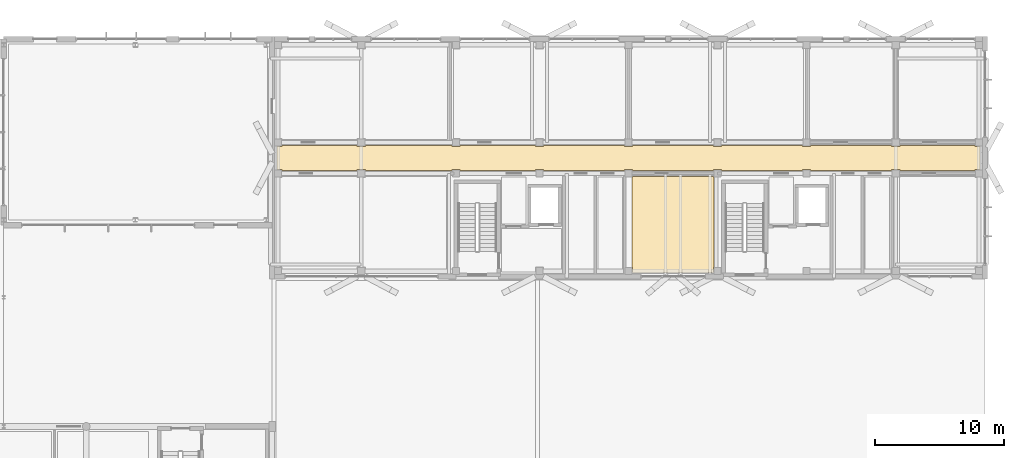
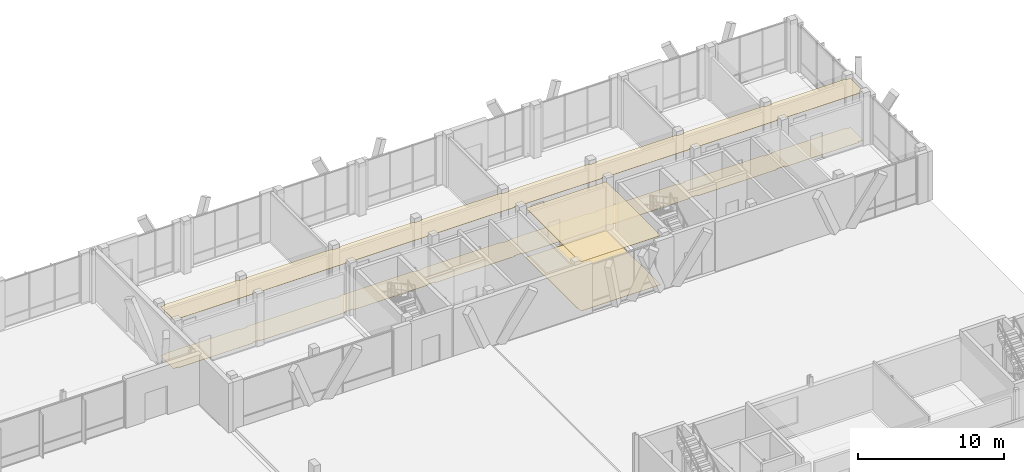
# One storey, part 232 of 233: 4 coverings.
"""IFC4 building model written with IfcOpenShell, lengths in metres."""

from ifc_helpers import new_model, si_unit, direction, frame, origin, place, context, subcontext, project, spatial, polyline, outline, extrude, material, layer, layer_set, type_object, element, save


model = new_model("IFC4")

# Units and contexts
model_context = context("Model", 3, precision=1e-05, world=origin(), true_north=direction((0.0, 1.0)))
body_context = subcontext(model_context, "Body", "Model", "MODEL_VIEW")
ifc_project = project(units=[si_unit("LENGTHUNIT", "METRE"), si_unit("AREAUNIT", "SQUARE_METRE"), si_unit("VOLUMEUNIT", "CUBIC_METRE"), si_unit("PLANEANGLEUNIT", "RADIAN"), si_unit("MASSUNIT", "GRAM", prefix="KILO")], contexts=[model_context])

# Site, building, storey
site_placement = place(None, origin())
site = spatial("IfcSite", under=ifc_project, at=site_placement, CompositionType="ELEMENT")
building_placement = place(site_placement, origin())
building = spatial("IfcBuilding", under=site, at=building_placement, Name="Zavelmont Quarter", CompositionType="ELEMENT")
storey_placement = place(building_placement, origin())
storey = spatial("IfcBuildingStorey", under=building, at=storey_placement, Name="L00", CompositionType="ELEMENT", Elevation=0.0)

# Coverings
ifc_material_1 = material(Name="Perforated acoustic gypsum board")
ifc_layer_1 = layer(ifc_material_1, 0.02490234375)
ifc_layer_set_1 = layer_set([ifc_layer_1], Name="Perforated acoustic gypsum board")
covering_type_1 = type_object("IfcCoveringType", Name="CV-CL01", PredefinedType="CEILING", material=ifc_layer_set_1)
covering_1_placement = place(storey_placement, frame((0.0, 0.0, 4.094970703125)))
element("IfcCovering", 1, at=covering_1_placement, inside=storey, type_object=covering_type_1, Name="L00 Entrance Lobby and Corridor acoustic ceiling", PredefinedType="CEILING", context=body_context, shape_type="SweptSolid", body=[
    extrude(outline(polyline([(113.179931640625, 107.68505859375), (113.554931640625, 107.68505859375), (113.554931640625, 107.77001953125), (119.385009765625, 107.77001953125), (119.385009765625, 107.68505859375), (120.014892578125, 107.68505859375), (120.014892578125, 107.77001953125), (126.72509765625, 107.77001953125), (126.72509765625, 107.68505859375), (127.35498046875, 107.68505859375), (127.35498046875, 107.77001953125), (133.18505859375, 107.77001953125), (133.18505859375, 107.68505859375), (133.81494140625, 107.68505859375), (133.81494140625, 107.77001953125), (140.0849609375, 107.77001953125), (140.0849609375, 107.68505859375), (140.715087890625, 107.68505859375), (140.715087890625, 107.77001953125), (146.985107421875, 107.77001953125), (146.985107421875, 107.68505859375), (147.614990234375, 107.68505859375), (147.614990234375, 107.77001953125), (153.885009765625, 107.77001953125), (153.885009765625, 107.68505859375), (154.514892578125, 107.68505859375), (154.514892578125, 107.77001953125), (160.784912109375, 107.77001953125), (160.784912109375, 107.68505859375), (161.4150390625, 107.68505859375), (161.4150390625, 107.77001953125), (167.2451171875, 107.77001953125), (167.2451171875, 107.68505859375), (167.6201171875, 107.68505859375), (167.6201171875, 105.9150390625), (167.2451171875, 105.9150390625), (167.2451171875, 105.830078125), (161.4150390625, 105.830078125), (161.4150390625, 105.9150390625), (160.784912109375, 105.9150390625), (160.784912109375, 105.830078125), (154.514892578125, 105.830078125), (154.514892578125, 105.9150390625), (153.885009765625, 105.9150390625), (153.885009765625, 105.830078125), (147.614990234375, 105.830078125), (147.614990234375, 105.9150390625), (146.985107421875, 105.9150390625), (146.985107421875, 105.830078125), (140.715087890625, 105.830078125), (140.715087890625, 105.9150390625), (140.0849609375, 105.9150390625), (140.0849609375, 105.830078125), (133.81494140625, 105.830078125), (133.81494140625, 105.9150390625), (133.18505859375, 105.9150390625), (133.18505859375, 105.830078125), (127.35498046875, 105.830078125), (127.35498046875, 105.9150390625), (126.72509765625, 105.9150390625), (126.72509765625, 105.830078125), (120.014892578125, 105.830078125), (120.014892578125, 105.9150390625), (119.385009765625, 105.9150390625), (119.385009765625, 105.830078125), (113.554931640625, 105.830078125), (113.554931640625, 105.9150390625), (113.179931640625, 105.9150390625), (113.179931640625, 107.68505859375)])), origin(), (0.0, 0.0, 1.0), 0.025146484375),
])
covering_2_placement = place(storey_placement, frame((0.0, 0.0, 4.094970703125)))
element("IfcCovering", 2, at=covering_2_placement, inside=storey, type_object=covering_type_1, Name="L00 Residents Workshop acoustic ceiling", PredefinedType="CEILING", context=body_context, shape_type="SweptSolid", body=[
    extrude(outline(polyline([(140.679931640625, 105.284912109375), (140.715087890625, 105.284912109375), (140.715087890625, 105.3701171875), (146.985107421875, 105.3701171875), (146.985107421875, 105.284912109375), (147.02001953125, 105.284912109375), (147.02001953125, 98.35498046875), (146.985107421875, 98.35498046875), (146.985107421875, 97.929931640625), (140.715087890625, 97.929931640625), (140.715087890625, 98.35498046875), (140.679931640625, 98.35498046875), (140.679931640625, 105.284912109375)])), origin(), (0.0, 0.0, 1.0), 0.025146484375),
])
ifc_material_2 = material(Name="Engineered European oak parquet")
ifc_layer_2 = layer(ifc_material_2, 0.02197265625)
ifc_layer_set_2 = layer_set([ifc_layer_2], Name="Engineered European oak parquet")
covering_type_2 = type_object("IfcCoveringType", Name="CV-FL01", PredefinedType="FLOORING", material=ifc_layer_set_2)
covering_3_placement = place(storey_placement, origin())
element("IfcCovering", 3, at=covering_3_placement, inside=storey, type_object=covering_type_2, Name="L00 Entrance Lobby and Corridor floor finish", PredefinedType="FLOORING", context=body_context, shape_type="SweptSolid", body=[
    extrude(outline(polyline([(113.179931640625, 107.68505859375), (113.554931640625, 107.68505859375), (113.554931640625, 107.77001953125), (119.385009765625, 107.77001953125), (119.385009765625, 107.68505859375), (120.014892578125, 107.68505859375), (120.014892578125, 107.77001953125), (126.72509765625, 107.77001953125), (126.72509765625, 107.68505859375), (127.35498046875, 107.68505859375), (127.35498046875, 107.77001953125), (133.18505859375, 107.77001953125), (133.18505859375, 107.68505859375), (133.81494140625, 107.68505859375), (133.81494140625, 107.77001953125), (140.0849609375, 107.77001953125), (140.0849609375, 107.68505859375), (140.715087890625, 107.68505859375), (140.715087890625, 107.77001953125), (146.985107421875, 107.77001953125), (146.985107421875, 107.68505859375), (147.614990234375, 107.68505859375), (147.614990234375, 107.77001953125), (153.885009765625, 107.77001953125), (153.885009765625, 107.68505859375), (154.514892578125, 107.68505859375), (154.514892578125, 107.77001953125), (160.784912109375, 107.77001953125), (160.784912109375, 107.68505859375), (161.4150390625, 107.68505859375), (161.4150390625, 107.77001953125), (167.2451171875, 107.77001953125), (167.2451171875, 107.68505859375), (167.6201171875, 107.68505859375), (167.6201171875, 105.9150390625), (167.2451171875, 105.9150390625), (167.2451171875, 105.830078125), (161.4150390625, 105.830078125), (161.4150390625, 105.9150390625), (160.784912109375, 105.9150390625), (160.784912109375, 105.830078125), (154.514892578125, 105.830078125), (154.514892578125, 105.9150390625), (153.885009765625, 105.9150390625), (153.885009765625, 105.830078125), (147.614990234375, 105.830078125), (147.614990234375, 105.9150390625), (146.985107421875, 105.9150390625), (146.985107421875, 105.830078125), (140.715087890625, 105.830078125), (140.715087890625, 105.9150390625), (140.0849609375, 105.9150390625), (140.0849609375, 105.830078125), (133.81494140625, 105.830078125), (133.81494140625, 105.9150390625), (133.18505859375, 105.9150390625), (133.18505859375, 105.830078125), (127.35498046875, 105.830078125), (127.35498046875, 105.9150390625), (126.72509765625, 105.9150390625), (126.72509765625, 105.830078125), (120.014892578125, 105.830078125), (120.014892578125, 105.9150390625), (119.385009765625, 105.9150390625), (119.385009765625, 105.830078125), (113.554931640625, 105.830078125), (113.554931640625, 105.9150390625), (113.179931640625, 105.9150390625), (113.179931640625, 107.68505859375)])), origin(), (0.0, 0.0, 1.0), 0.02197265625),
])
covering_4_placement = place(storey_placement, origin())
element("IfcCovering", 4, at=covering_4_placement, inside=storey, type_object=covering_type_2, Name="L00 Residents Workshop floor finish", PredefinedType="FLOORING", context=body_context, shape_type="SweptSolid", body=[
    extrude(outline(polyline([(140.679931640625, 105.284912109375), (140.715087890625, 105.284912109375), (140.715087890625, 105.3701171875), (146.985107421875, 105.3701171875), (146.985107421875, 105.284912109375), (147.02001953125, 105.284912109375), (147.02001953125, 98.35498046875), (146.985107421875, 98.35498046875), (146.985107421875, 97.929931640625), (140.715087890625, 97.929931640625), (140.715087890625, 98.35498046875), (140.679931640625, 98.35498046875), (140.679931640625, 105.284912109375)])), origin(), (0.0, 0.0, 1.0), 0.02197265625),
])

save(model, "model.ifc")
